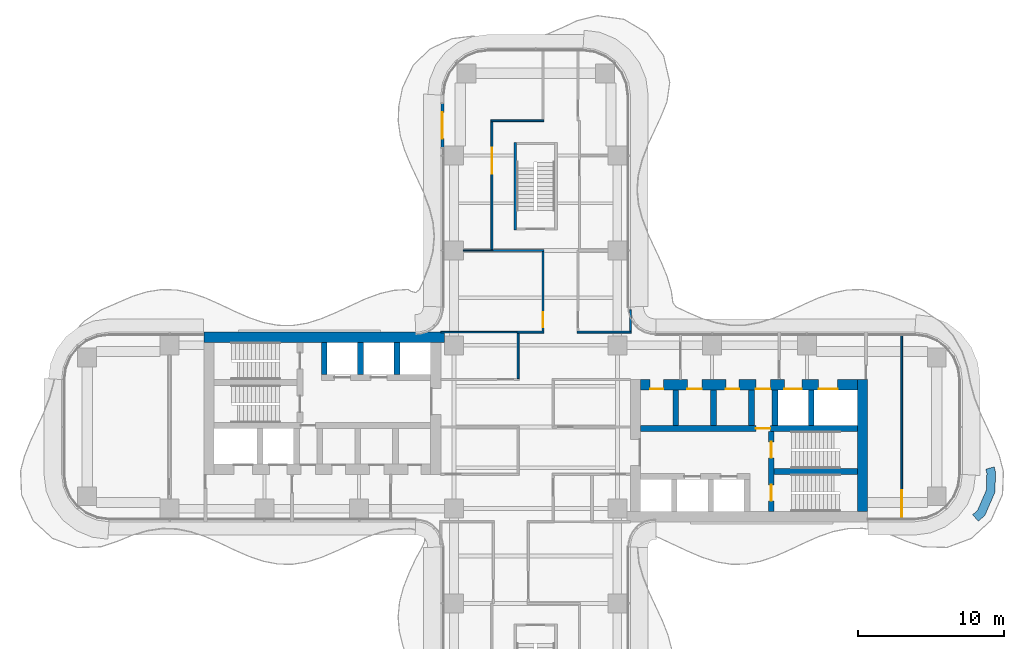
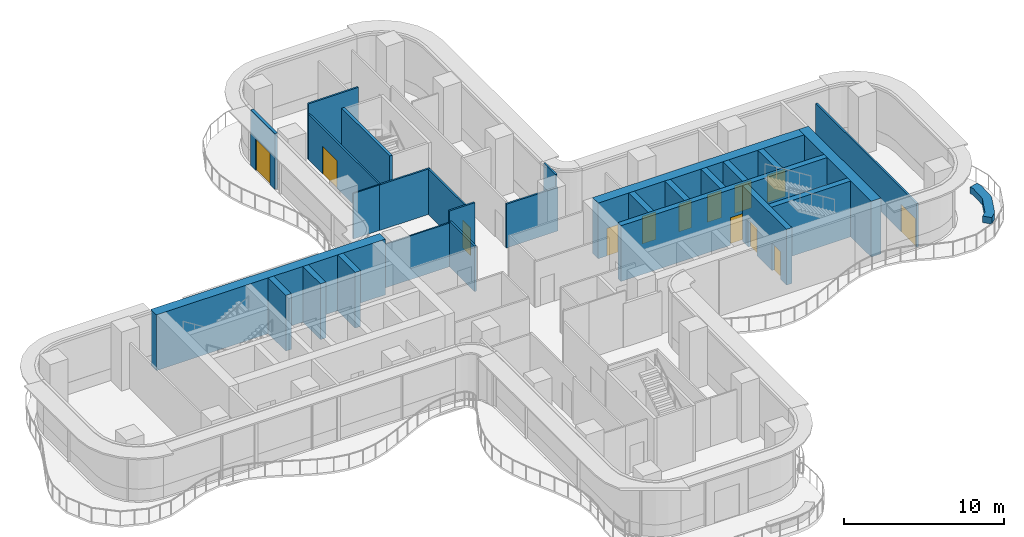
# One storey, part 19 of 22: 28 walls, 13 doors, 13 openings.
"""IFC4 building model written with IfcOpenShell, lengths in metres."""

from ifc_helpers import new_model, si_unit, direction, frame, frame_2d, origin, place, context, subcontext, project, spatial, polyline, rectangle, outline, extrude, source, transform, mapped, material, layer, layer_set, type_object, element, fill, save


model = new_model("IFC4")

# Units and contexts
model_context = context("Model", 3, precision=1e-05, world=origin(), true_north=direction((0.0, 1.0)))
body_context = subcontext(model_context, "Body", "Model", "MODEL_VIEW")
ifc_project = project(units=[si_unit("LENGTHUNIT", "METRE"), si_unit("AREAUNIT", "SQUARE_METRE"), si_unit("VOLUMEUNIT", "CUBIC_METRE"), si_unit("PLANEANGLEUNIT", "RADIAN"), si_unit("MASSUNIT", "GRAM", prefix="KILO")], contexts=[model_context])

# Site, building, storey
site_placement = place(None, origin())
site = spatial("IfcSite", under=ifc_project, at=site_placement, CompositionType="ELEMENT")
building_placement = place(site_placement, origin())
building = spatial("IfcBuilding", under=site, at=building_placement, Name="Trellis Farm Tower", CompositionType="ELEMENT")
storey_placement = place(building_placement, frame((0.0, 0.0, 124.5)))
storey = spatial("IfcBuildingStorey", under=building, at=storey_placement, Name="L26", CompositionType="ELEMENT", Elevation=124.5)

# Walls
ifc_material_1 = material(Name="Sandstone faced masonry planter", Category="masonry")
ifc_layer_1 = layer(ifc_material_1, 0.60009765625)
ifc_layer_set_1 = layer_set([ifc_layer_1], Name="PLANTER BED 600")
wall_type_1 = type_object("IfcWallType", Name="PLANTER BED 600", PredefinedType="USERDEFINED", material=ifc_layer_set_1)
wall_1_placement = place(storey_placement, origin())
element("IfcWall", 1, at=wall_1_placement, inside=storey, type_object=wall_type_1, Name="PLANTER bed", ObjectType="PLANTER", PredefinedType="USERDEFINED", context=body_context, shape_type="SweptSolid", body=[
    extrude(outline(polyline([(31.489501953125, -4.481689453125), (30.803466796875, -6.05908203125), (30.36181640625, -6.465087890625), (29.955810546875, -6.023193359375), (30.303955078125, -5.703369140625), (30.893798828125, -4.347412109375), (30.9326171875, -3.1708984375), (30.85986328125, -2.893310546875), (31.440185546875, -2.7412109375), (31.53515625, -3.103515625), (31.489501953125, -4.481689453125)])), origin(), (0.0, 0.0, 1.0), 0.5),
])
ifc_material_2 = material(Name="Concrete C70/85", Category="concrete")
ifc_layer_2 = layer(ifc_material_2, 0.699951171875)
ifc_layer_set_2 = layer_set([ifc_layer_2], Name="CORE OUTER WALL 700 CONCRETE C70/85")
wall_type_2 = type_object("IfcWallType", Name="CORE OUTER WALL 700 CONCRETE C70/85", PredefinedType="SHEAR", material=ifc_layer_set_2)
shared_shape_1 = source(origin(), body_context, "Body", "SweptSolid", [
    extrude(rectangle(XDim=9.050048828125, YDim=0.699951171875, at=frame_2d((4.52490234375, 0.0))), origin(), (0.0, 0.0, 1.0), 4.25),
])
wall_2_placement = place(storey_placement, frame((22.39990234375, -5.800048828125, 0.0), z_axis=(0.0, 0.0, 1.0), x_axis=(0.0, 1.0, 0.0)))
element("IfcWall", 2, at=wall_2_placement, inside=storey, type_object=wall_type_2, Name="Core wall", PredefinedType="SHEAR", context=body_context, shape_type="MappedRepresentation", body=[
    mapped(shared_shape_1, transform((0.0, 0.0, 0.0))),
])
ifc_layer_3 = layer(ifc_material_2, 0.39990234375)
ifc_layer_set_3 = layer_set([ifc_layer_3], Name="CORE INNER WALL 400 CONCRETE C70/85")
wall_type_3 = type_object("IfcWallType", Name="CORE INNER WALL 400 CONCRETE C70/85", PredefinedType="SHEAR", material=ifc_layer_set_3)
shared_shape_2 = source(origin(), body_context, "Body", "SweptSolid", [
    extrude(rectangle(XDim=2.199951171875, YDim=0.39990234375, at=frame_2d((1.10009765625, 0.0))), origin(), (0.0, 0.0, 1.0), 4.25),
])
for number, where, z_axis, x_axis, name in (
    (3, (-9.5, 5.800048828125, 0.0), (0.0, 0.0, 1.0), (0.0, -1.0, 0.0), "Core wall"),
    (4, (-12.0, 5.800048828125, 0.0), (0.0, 0.0, 1.0), (0.0, -1.0, 0.0), "Core wall"),
    (5, (-14.5, 5.800048828125, 0.0), (0.0, 0.0, 1.0), (0.0, -1.0, 0.0), "Core wall"),
):
    element("IfcWall", number, at=place(storey_placement, frame(where, z_axis=z_axis, x_axis=x_axis)), inside=storey, type_object=wall_type_3, Name=name, PredefinedType="SHEAR", context=body_context, shape_type="MappedRepresentation", body=[
        mapped(shared_shape_2, transform((0.0, 0.0, 0.0))),
    ])
shared_shape_3 = source(origin(), body_context, "Body", "SweptSolid", [
    extrude(rectangle(XDim=2.449951171875, YDim=0.39990234375, at=frame_2d((1.22509765625, 0.0))), origin(), (0.0, 0.0, 1.0), 4.25),
])
for number, where, z_axis, x_axis, name in (
    (6, (9.60009765625, 0.10009765625, 0.0), (0.0, 0.0, 1.0), (0.0, 1.0, 0.0), "Core wall"),
    (7, (12.199951171875, 0.10009765625, 0.0), (0.0, 0.0, 1.0), (0.0, 1.0, 0.0), "Core wall"),
    (8, (14.800048828125, 0.10009765625, 0.0), (0.0, 0.0, 1.0), (0.0, 1.0, 0.0), "Core wall"),
    (9, (16.39990234375, 0.10009765625, 0.0), (0.0, 0.0, 1.0), (0.0, 1.0, 0.0), "Core wall"),
    (10, (18.89990234375, 0.10009765625, 0.0), (0.0, 0.0, 1.0), (0.0, 1.0, 0.0), "Core wall"),
):
    element("IfcWall", number, at=place(storey_placement, frame(where, z_axis=z_axis, x_axis=x_axis)), inside=storey, type_object=wall_type_3, Name=name, PredefinedType="SHEAR", context=body_context, shape_type="MappedRepresentation", body=[
        mapped(shared_shape_3, transform((0.0, 0.0, 0.0))),
    ])

# Wall, openings, doors
shared_shape_4 = source(origin(), body_context, "Body", "SweptSolid", [
    extrude(rectangle(XDim=14.85009765625, YDim=0.699951171875, at=frame_2d((7.425048828125, 0.0))), origin(), (0.0, 0.0, 1.0), 4.25),
])
wall_3_placement = place(storey_placement, frame((7.199951171875, 2.89990234375, 0.0), z_axis=(0.0, 0.0, 1.0), x_axis=(1.0, 0.0, 0.0)))
wall_3 = element("IfcWall", 11, at=wall_3_placement, inside=storey, type_object=wall_type_2, Name="Core wall", PredefinedType="SHEAR", context=body_context, shape_type="MappedRepresentation", body=[
    mapped(shared_shape_4, transform((0.0, 0.0, 0.0))),
])
shared_shape_5 = source(origin(), body_context, "Body", "SweptSolid", [
    extrude(rectangle(XDim=1.300048828125, YDim=2.10009765625, at=frame_2d((0.64990234375, 1.050048828125))), frame((0.0, 0.360107421875, 0.0), z_axis=(0.0, -1.0, 0.0), x_axis=(1.0, 0.0, 0.0)), (0.0, 0.0, 1.0), 0.72021484375),
])
opening_1_placement = place(wall_3_placement, frame((12.199951171875, 0.0, 0.0)))
opening_1 = element("IfcOpeningElement", 12, at=opening_1_placement, cuts=wall_3, Name="Opening LD7", PredefinedType="OPENING", context=body_context, shape_type="MappedRepresentation", body=[
    mapped(shared_shape_5, transform((0.0, 0.0, 0.0))),
])
shared_shape_6 = source(origin(), body_context, "Body", "SweptSolid", [
    extrude(rectangle(XDim=1.199951171875, YDim=2.10009765625, at=frame_2d((0.60009765625, 1.050048828125))), frame((0.0, 0.360107421875, 0.0), z_axis=(0.0, -1.0, 0.0), x_axis=(1.0, 0.0, 0.0)), (0.0, 0.0, 1.0), 0.72021484375),
])
opening_2_placement = place(wall_3_placement, frame((9.85009765625, 0.0, 0.0)))
opening_2 = element("IfcOpeningElement", 13, at=opening_2_placement, cuts=wall_3, Name="Opening LD8", PredefinedType="OPENING", context=body_context, shape_type="MappedRepresentation", body=[
    mapped(shared_shape_6, transform((0.0, 0.0, 0.0))),
])
shared_shape_7 = source(origin(), body_context, "Body", "SweptSolid", [
    extrude(rectangle(XDim=1.0, YDim=2.10009765625, at=frame_2d((0.5, 1.050048828125))), frame((0.0, 0.360107421875, 0.0), z_axis=(0.0, -1.0, 0.0), x_axis=(1.0, 0.0, 0.0)), (0.0, 0.0, 1.0), 0.72021484375),
])
opening_3_placement = place(wall_3_placement, frame((7.89990234375, 0.0, 0.0)))
opening_3 = element("IfcOpeningElement", 14, at=opening_3_placement, cuts=wall_3, Name="Opening DC6", PredefinedType="OPENING", context=body_context, shape_type="MappedRepresentation", body=[
    mapped(shared_shape_7, transform((0.0, 0.0, 0.0))),
])
shared_shape_8 = source(origin(), body_context, "Body", "SweptSolid", [
    extrude(rectangle(XDim=0.89990234375, YDim=2.10009765625, at=frame_2d((0.449951171875, 1.050048828125))), frame((0.0, 0.360107421875, 0.0), z_axis=(0.0, -1.0, 0.0), x_axis=(1.0, 0.0, 0.0)), (0.0, 0.0, 1.0), 0.72021484375),
])
opening_4_placement = place(wall_3_placement, frame((0.64990234375, 0.0, 0.0)))
opening_4 = element("IfcOpeningElement", 15, at=opening_4_placement, cuts=wall_3, Name="Opening DC11", PredefinedType="OPENING", context=body_context, shape_type="MappedRepresentation", body=[
    mapped(shared_shape_8, transform((0.0, 0.0, 0.0))),
])
opening_5_placement = place(wall_3_placement, frame((3.199951171875, 0.0, 0.0)))
opening_5 = element("IfcOpeningElement", 16, at=opening_5_placement, cuts=wall_3, Name="Opening DC26", PredefinedType="OPENING", context=body_context, shape_type="MappedRepresentation", body=[
    mapped(shared_shape_7, transform((0.0, 0.0, 0.0))),
])
opening_6_placement = place(wall_3_placement, frame((5.85009765625, 0.0, 0.0)))
opening_6 = element("IfcOpeningElement", 17, at=opening_6_placement, cuts=wall_3, Name="Opening DC35", PredefinedType="OPENING", context=body_context, shape_type="MappedRepresentation", body=[
    mapped(shared_shape_8, transform((0.0, 0.0, 0.0))),
])
ifc_material_3 = material(Name="Steel", Category="steel")
door_type_1 = type_object("IfcDoorType", Name="CORE FIRE DOOR 1000 X 2100", OperationType="NOTDEFINED", PredefinedType="DOOR", material=ifc_material_3)
shared_shape_9 = source(origin(), body_context, "Body", "SweptSolid", [
    extrude(rectangle(XDim=1.0, YDim=2.10009765625, at=frame_2d((0.5, 1.050048828125))), frame((0.0, -0.27490234375, 0.0), z_axis=(0.0, -1.0, 0.0), x_axis=(1.0, 0.0, 0.0)), (0.0, 0.0, 1.0), 0.050048828125),
])
door_1_placement = place(opening_3_placement, origin())
door_1 = element("IfcDoor", 18, at=door_1_placement, inside=storey, type_object=door_type_1, Name="Core door", OperationType="SINGLE_SWING_LEFT", OverallHeight=2.10009765625, OverallWidth=1.0, PredefinedType="DOOR", context=body_context, shape_type="MappedRepresentation", body=[
    mapped(shared_shape_9, transform((0.0, 0.0, 0.0))),
])
fill(opening_3, door_1)
door_2_placement = place(opening_5_placement, origin())
door_2 = element("IfcDoor", 19, at=door_2_placement, inside=storey, type_object=door_type_1, Name="Core door", OperationType="SINGLE_SWING_RIGHT", OverallHeight=2.10009765625, OverallWidth=1.0, PredefinedType="DOOR", context=body_context, shape_type="MappedRepresentation", body=[
    mapped(shared_shape_9, transform((0.0, 0.0, 0.0))),
])
fill(opening_5, door_2)
door_type_2 = type_object("IfcDoorType", Name="CORE FIRE DOOR 900 X 2100", OperationType="NOTDEFINED", PredefinedType="DOOR", material=ifc_material_3)
shared_shape_10 = source(origin(), body_context, "Body", "SweptSolid", [
    extrude(rectangle(XDim=0.89990234375, YDim=2.10009765625, at=frame_2d((0.449951171875, 1.050048828125))), frame((0.0, -0.27490234375, 0.0), z_axis=(0.0, -1.0, 0.0), x_axis=(1.0, 0.0, 0.0)), (0.0, 0.0, 1.0), 0.050048828125),
])
door_3_placement = place(opening_4_placement, origin())
door_3 = element("IfcDoor", 20, at=door_3_placement, inside=storey, type_object=door_type_2, Name="Core door", OperationType="SINGLE_SWING_LEFT", OverallHeight=2.10009765625, OverallWidth=0.89990234375, PredefinedType="DOOR", context=body_context, shape_type="MappedRepresentation", body=[
    mapped(shared_shape_10, transform((0.0, 0.0, 0.0))),
])
fill(opening_4, door_3)
door_4_placement = place(opening_6_placement, origin())
door_4 = element("IfcDoor", 21, at=door_4_placement, inside=storey, type_object=door_type_2, Name="Core door", OperationType="SINGLE_SWING_LEFT", OverallHeight=2.10009765625, OverallWidth=0.89990234375, PredefinedType="DOOR", context=body_context, shape_type="MappedRepresentation", body=[
    mapped(shared_shape_10, transform((0.0, 0.0, 0.0))),
])
fill(opening_6, door_4)
ifc_material_4 = material(Name="Stainless steel", Category="steel")
door_type_3 = type_object("IfcDoorType", Name="LIFT LANDING DOOR 1300 X 2100", OperationType="DOUBLE_DOOR_SLIDING", PredefinedType="DOOR", material=ifc_material_4)
shared_shape_11 = source(origin(), body_context, "Body", "SweptSolid", [
    extrude(rectangle(XDim=1.300048828125, YDim=2.10009765625, at=frame_2d((0.64990234375, 1.050048828125))), frame((0.0, -0.27490234375, 0.0), z_axis=(0.0, -1.0, 0.0), x_axis=(1.0, 0.0, 0.0)), (0.0, 0.0, 1.0), 0.050048828125),
])
door_5_placement = place(opening_1_placement, origin())
door_5 = element("IfcDoor", 22, at=door_5_placement, inside=storey, type_object=door_type_3, Name="Lift landing door", OperationType="DOUBLE_DOOR_SLIDING", OverallHeight=2.10009765625, OverallWidth=1.300048828125, PredefinedType="DOOR", context=body_context, shape_type="MappedRepresentation", body=[
    mapped(shared_shape_11, transform((0.0, 0.0, 0.0))),
])
fill(opening_1, door_5)
door_type_4 = type_object("IfcDoorType", Name="LIFT LANDING DOOR 1200 X 2100", OperationType="DOUBLE_DOOR_SLIDING", PredefinedType="DOOR", material=ifc_material_4)
shared_shape_12 = source(origin(), body_context, "Body", "SweptSolid", [
    extrude(rectangle(XDim=1.199951171875, YDim=2.10009765625, at=frame_2d((0.60009765625, 1.050048828125))), frame((0.0, -0.27490234375, 0.0), z_axis=(0.0, -1.0, 0.0), x_axis=(1.0, 0.0, 0.0)), (0.0, 0.0, 1.0), 0.050048828125),
])
door_6_placement = place(opening_2_placement, origin())
door_6 = element("IfcDoor", 23, at=door_6_placement, inside=storey, type_object=door_type_4, Name="Lift landing door", OperationType="DOUBLE_DOOR_SLIDING", OverallHeight=2.10009765625, OverallWidth=1.199951171875, PredefinedType="DOOR", context=body_context, shape_type="MappedRepresentation", body=[
    mapped(shared_shape_12, transform((0.0, 0.0, 0.0))),
])
fill(opening_2, door_6)

# Wall, opening, door
shared_shape_13 = source(origin(), body_context, "Body", "SweptSolid", [
    extrude(rectangle(XDim=14.85009765625, YDim=0.39990234375, at=frame_2d((7.425048828125, 0.0))), origin(), (0.0, 0.0, 1.0), 4.25),
])
wall_4_placement = place(storey_placement, frame((7.199951171875, -0.10009765625, 0.0), z_axis=(0.0, 0.0, 1.0), x_axis=(1.0, 0.0, 0.0)))
wall_4 = element("IfcWall", 24, at=wall_4_placement, inside=storey, type_object=wall_type_3, Name="Core wall", PredefinedType="SHEAR", context=body_context, shape_type="MappedRepresentation", body=[
    mapped(shared_shape_13, transform((0.0, 0.0, 0.0))),
])
shared_shape_14 = source(origin(), body_context, "Body", "SweptSolid", [
    extrude(rectangle(XDim=1.0, YDim=2.10009765625, at=frame_2d((0.5, 1.050048828125))), frame((0.0, 0.2099609375, 0.0), z_axis=(0.0, -1.0, 0.0), x_axis=(1.0, 0.0, 0.0)), (0.0, 0.0, 1.0), 0.419921875),
])
opening_7_placement = place(wall_4_placement, frame((7.89990234375, 0.0, 0.0)))
opening_7 = element("IfcOpeningElement", 25, at=opening_7_placement, cuts=wall_4, Name="Opening DC5", PredefinedType="OPENING", context=body_context, shape_type="MappedRepresentation", body=[
    mapped(shared_shape_14, transform((0.0, 0.0, 0.0))),
])
shared_shape_15 = source(origin(), body_context, "Body", "SweptSolid", [
    extrude(rectangle(XDim=1.0, YDim=2.10009765625, at=frame_2d((0.5, 1.050048828125))), frame((0.0, 0.02490234375, 0.0), z_axis=(0.0, -1.0, 0.0), x_axis=(1.0, 0.0, 0.0)), (0.0, 0.0, 1.0), 0.050048828125),
])
door_7_placement = place(opening_7_placement, origin())
door_7 = element("IfcDoor", 26, at=door_7_placement, inside=storey, type_object=door_type_1, Name="Core door", OperationType="SINGLE_SWING_RIGHT", OverallHeight=2.10009765625, OverallWidth=1.0, PredefinedType="DOOR", context=body_context, shape_type="MappedRepresentation", body=[
    mapped(shared_shape_15, transform((0.0, 0.0, 0.0))),
])
fill(opening_7, door_7)

# Wall, openings, doors
shared_shape_16 = source(origin(), body_context, "Body", "SweptSolid", [
    extrude(rectangle(XDim=5.5, YDim=0.39990234375, at=frame_2d((2.75, 0.0))), origin(), (0.0, 0.0, 1.0), 4.25),
])
wall_5_placement = place(storey_placement, frame((16.14990234375, -5.800048828125, 0.0), z_axis=(0.0, 0.0, 1.0), x_axis=(0.0, 1.0, 0.0)))
wall_5 = element("IfcWall", 27, at=wall_5_placement, inside=storey, type_object=wall_type_3, Name="Core wall", PredefinedType="SHEAR", context=body_context, shape_type="MappedRepresentation", body=[
    mapped(shared_shape_16, transform((0.0, 0.0, 0.0))),
])
shared_shape_17 = source(origin(), body_context, "Body", "SweptSolid", [
    extrude(rectangle(XDim=1.10009765625, YDim=2.10009765625, at=frame_2d((0.550048828125, 1.050048828125))), frame((0.0, 0.2099609375, 0.0), z_axis=(0.0, -1.0, 0.0), x_axis=(1.0, 0.0, 0.0)), (0.0, 0.0, 1.0), 0.419921875),
])
opening_8_placement = place(wall_5_placement, frame((0.72509765625, 0.0, 0.0)))
opening_8 = element("IfcOpeningElement", 28, at=opening_8_placement, cuts=wall_5, Name="Opening DC2", PredefinedType="OPENING", context=body_context, shape_type="MappedRepresentation", body=[
    mapped(shared_shape_17, transform((0.0, 0.0, 0.0))),
])
opening_9_placement = place(wall_5_placement, frame((3.675048828125, 0.0, 0.0)))
opening_9 = element("IfcOpeningElement", 29, at=opening_9_placement, cuts=wall_5, Name="Opening DC3", PredefinedType="OPENING", context=body_context, shape_type="MappedRepresentation", body=[
    mapped(shared_shape_17, transform((0.0, 0.0, 0.0))),
])
door_type_5 = type_object("IfcDoorType", Name="CORE FIRE DOOR 1100 X 2100", OperationType="NOTDEFINED", PredefinedType="DOOR", material=ifc_material_3)
shared_shape_18 = source(origin(), body_context, "Body", "SweptSolid", [
    extrude(rectangle(XDim=1.10009765625, YDim=2.10009765625, at=frame_2d((0.550048828125, 1.050048828125))), frame((0.0, 0.02490234375, 0.0), z_axis=(0.0, -1.0, 0.0), x_axis=(1.0, 0.0, 0.0)), (0.0, 0.0, 1.0), 0.050048828125),
])
door_8_placement = place(opening_8_placement, origin())
door_8 = element("IfcDoor", 30, at=door_8_placement, inside=storey, type_object=door_type_5, Name="Core door", OperationType="SINGLE_SWING_RIGHT", OverallHeight=2.10009765625, OverallWidth=1.10009765625, PredefinedType="DOOR", context=body_context, shape_type="MappedRepresentation", body=[
    mapped(shared_shape_18, transform((0.0, 0.0, 0.0))),
])
fill(opening_8, door_8)
door_9_placement = place(opening_9_placement, origin())
door_9 = element("IfcDoor", 31, at=door_9_placement, inside=storey, type_object=door_type_5, Name="Core door", OperationType="SINGLE_SWING_LEFT", OverallHeight=2.10009765625, OverallWidth=1.10009765625, PredefinedType="DOOR", context=body_context, shape_type="MappedRepresentation", body=[
    mapped(shared_shape_18, transform((0.0, 0.0, 0.0))),
])
fill(opening_9, door_9)

# Walls
shared_shape_19 = source(origin(), body_context, "Body", "SweptSolid", [
    extrude(rectangle(XDim=5.699951171875, YDim=0.39990234375, at=frame_2d((2.85009765625, 0.0))), origin(), (0.0, 0.0, 1.0), 4.25),
])
wall_6_placement = place(storey_placement, frame((16.35009765625, -3.050048828125, 0.0), z_axis=(0.0, 0.0, 1.0), x_axis=(1.0, 0.0, 0.0)))
element("IfcWall", 32, at=wall_6_placement, inside=storey, type_object=wall_type_3, Name="Core wall", PredefinedType="SHEAR", context=body_context, shape_type="MappedRepresentation", body=[
    mapped(shared_shape_19, transform((0.0, 0.0, 0.0))),
])
shared_shape_20 = source(origin(), body_context, "Body", "SweptSolid", [
    extrude(rectangle(XDim=16.5, YDim=0.699951171875, at=frame_2d((8.25, 0.0))), origin(), (0.0, 0.0, 1.0), 4.25),
])
wall_7_placement = place(storey_placement, frame((-6.25, 6.14990234375, 0.0), z_axis=(0.0, 0.0, 1.0), x_axis=(-1.0, 0.0, 0.0)))
element("IfcWall", 33, at=wall_7_placement, inside=storey, type_object=wall_type_2, Name="Core wall", PredefinedType="SHEAR", context=body_context, shape_type="MappedRepresentation", body=[
    mapped(shared_shape_20, transform((0.0, 0.0, 0.0))),
])
ifc_layer_4 = layer(ifc_material_2, 0.199951171875)
ifc_layer_set_4 = layer_set([ifc_layer_4], Name="CORE STAIR ENCLOSURE WALL 200 CONCRETE C70/85")
wall_type_4 = type_object("IfcWallType", Name="CORE STAIR ENCLOSURE WALL 200 CONCRETE C70/85", PredefinedType="SHEAR", material=ifc_layer_set_4)
shared_shape_21 = source(origin(), body_context, "Body", "SweptSolid", [
    extrude(rectangle(XDim=6.0, YDim=0.199951171875, at=frame_2d((3.0, 0.0))), origin(), (0.0, 0.0, 1.0), 4.25),
])
wall_8_placement = place(storey_placement, frame((-1.39990234375, 13.5, 0.0), z_axis=(0.0, 0.0, 1.0), x_axis=(0.0, 1.0, 0.0)))
element("IfcWall", 34, at=wall_8_placement, inside=storey, type_object=wall_type_4, Name="Stair enclosure wall", PredefinedType="SHEAR", context=body_context, shape_type="MappedRepresentation", body=[
    mapped(shared_shape_21, transform((0.0, 0.0, 0.0))),
])

# Wall, opening, door
ifc_material_5 = material(Name="Sandstone faced insulated wall", Category="masonry")
ifc_layer_5 = layer(ifc_material_5, 0.199951171875)
ifc_layer_set_5 = layer_set([ifc_layer_5], Name="EXTERNAL INFILL WALL 200")
wall_type_5 = type_object("IfcWallType", Name="EXTERNAL INFILL WALL 200", PredefinedType="SOLIDWALL", material=ifc_layer_set_5)
shared_shape_22 = source(origin(), body_context, "Body", "SweptSolid", [
    extrude(rectangle(XDim=3.0, YDim=0.199951171875, at=frame_2d((1.5, 0.0))), origin(), (0.0, 0.0, 1.0), 4.25),
])
wall_9_placement = place(storey_placement, frame((-6.39990234375, 22.175048828125, 0.0), z_axis=(0.0, 0.0, 1.0), x_axis=(0.0, -1.0, 0.0)))
wall_9 = element("IfcWall", 35, at=wall_9_placement, inside=storey, type_object=wall_type_5, Name="EW1 02", PredefinedType="SOLIDWALL", context=body_context, shape_type="MappedRepresentation", body=[
    mapped(shared_shape_22, transform((0.0, 0.0, 0.0))),
])
shared_shape_23 = source(origin(), body_context, "Body", "SweptSolid", [
    extrude(rectangle(XDim=1.800048828125, YDim=2.39990234375, at=frame_2d((0.89990234375, 1.199951171875))), frame((0.0, 0.110107421875, 0.0), z_axis=(0.0, -1.0, 0.0), x_axis=(1.0, 0.0, 0.0)), (0.0, 0.0, 1.0), 0.22021484375),
])
opening_10_placement = place(wall_9_placement, frame((0.60009765625, 0.0, 0.0)))
opening_10 = element("IfcOpeningElement", 36, at=opening_10_placement, cuts=wall_9, Name="Opening ED1", PredefinedType="OPENING", context=body_context, shape_type="MappedRepresentation", body=[
    mapped(shared_shape_23, transform((0.0, 0.0, 0.0))),
])
ifc_material_6 = material(Name="Aluminium framed glazed door", Category="aluminium")
door_type_6 = type_object("IfcDoorType", Name="BALCONY DOOR 1800x2400", OperationType="DOUBLE_DOOR_SINGLE_SWING", PredefinedType="DOOR", material=ifc_material_6)
shared_shape_24 = source(origin(), body_context, "Body", "SweptSolid", [
    extrude(rectangle(XDim=1.800048828125, YDim=2.39990234375, at=frame_2d((0.89990234375, 1.199951171875))), frame((0.0, 0.02490234375, 0.0), z_axis=(0.0, -1.0, 0.0), x_axis=(1.0, 0.0, 0.0)), (0.0, 0.0, 1.0), 0.050048828125),
])
door_10_placement = place(opening_10_placement, origin())
door_10 = element("IfcDoor", 37, at=door_10_placement, inside=storey, type_object=door_type_6, Name="Balcony door", OperationType="DOUBLE_DOOR_SINGLE_SWING", OverallHeight=2.39990234375, OverallWidth=1.800048828125, PredefinedType="DOOR", context=body_context, shape_type="MappedRepresentation", body=[
    mapped(shared_shape_24, transform((0.0, 0.0, 0.0))),
])
fill(opening_10, door_10)

ifc_material_7 = material(Name="Plasterboard on steel studs, mineral wool", Category="steel")
ifc_layer_6 = layer(ifc_material_7, 0.125)
ifc_layer_set_6 = layer_set([ifc_layer_6], Name="PARTITION 125 STUD EI 60")
wall_type_6 = type_object("IfcWallType", Name="PARTITION 125 STUD EI 60", PredefinedType="PARTITIONING", material=ifc_layer_set_6)
shared_shape_25 = source(origin(), body_context, "Body", "SweptSolid", [
    extrude(rectangle(XDim=5.47509765625, YDim=0.125, at=frame_2d((2.737548828125, 0.0))), origin(), (0.0, 0.0, 1.0), 3.4677734375),
])
wall_10_placement = place(storey_placement, frame((0.5, 12.03759765625, 0.0), z_axis=(0.0, 0.0, 1.0), x_axis=(0.0, -1.0, 0.0)))
wall_10 = element("IfcWall", 38, at=wall_10_placement, inside=storey, type_object=wall_type_6, Name="Partition PW1", PredefinedType="PARTITIONING", context=body_context, shape_type="MappedRepresentation", body=[
    mapped(shared_shape_25, transform((0.0, 0.0, 0.0))),
])
shared_shape_26 = source(origin(), body_context, "Body", "SweptSolid", [
    extrude(rectangle(XDim=1.0, YDim=2.10009765625, at=frame_2d((0.5, 1.050048828125))), frame((0.0, 0.072509765625, 0.0), z_axis=(0.0, -1.0, 0.0), x_axis=(1.0, 0.0, 0.0)), (0.0, 0.0, 1.0), 0.14501953125),
])
opening_11_placement = place(wall_10_placement, frame((4.1875, 0.0, 0.0)))
opening_11 = element("IfcOpeningElement", 39, at=opening_11_placement, cuts=wall_10, Name="Opening D106", PredefinedType="OPENING", context=body_context, shape_type="MappedRepresentation", body=[
    mapped(shared_shape_26, transform((0.0, 0.0, 0.0))),
])
ifc_material_8 = material(Name="Fire-rated timber door leaf in a hollow metal frame", Category="wood")
door_type_7 = type_object("IfcDoorType", Name="DOOR 1000x2100 FD30S", OperationType="NOTDEFINED", PredefinedType="DOOR", material=ifc_material_8)
door_11_placement = place(opening_11_placement, origin())
door_11 = element("IfcDoor", 40, at=door_11_placement, inside=storey, type_object=door_type_7, Name="Door D106", OperationType="SINGLE_SWING_RIGHT", OverallHeight=2.10009765625, OverallWidth=1.0, PredefinedType="DOOR", context=body_context, shape_type="MappedRepresentation", body=[
    mapped(shared_shape_15, transform((0.0, 0.0, 0.0))),
])
fill(opening_11, door_11)

# Walls
shared_shape_27 = source(origin(), body_context, "Body", "SweptSolid", [
    extrude(rectangle(XDim=1.468994140625, YDim=0.125, at=frame_2d((0.734375, 0.0))), origin(), (0.0, 0.0, 1.0), 4.25),
])
wall_11_placement = place(storey_placement, frame((6.5, 6.5625, 0.0), z_axis=(0.0, 0.0, 1.0), x_axis=(0.0, 1.0, 0.0)))
element("IfcWall", 41, at=wall_11_placement, inside=storey, type_object=wall_type_6, Name="Partition PW1", PredefinedType="PARTITIONING", context=body_context, shape_type="MappedRepresentation", body=[
    mapped(shared_shape_27, transform((0.0, 0.0, 0.0))),
])
shared_shape_28 = source(origin(), body_context, "Body", "SweptSolid", [
    extrude(rectangle(XDim=3.137451171875, YDim=0.125, at=frame_2d((1.56884765625, 0.0))), origin(), (0.0, 0.0, 1.0), 3.4677734375),
])
wall_12_placement = place(storey_placement, frame((-1.199951171875, 6.449951171875, 0.0), z_axis=(0.0, 0.0, 1.0), x_axis=(0.0, -1.0, 0.0)))
element("IfcWall", 42, at=wall_12_placement, inside=storey, type_object=wall_type_6, Name="Partition PW1", PredefinedType="PARTITIONING", context=body_context, shape_type="MappedRepresentation", body=[
    mapped(shared_shape_28, transform((0.0, 0.0, 0.0))),
])
ifc_material_9 = material(Name="Plasterboard on steel studs", Category="steel")
ifc_layer_7 = layer(ifc_material_9, 0.10009765625)
ifc_layer_set_7 = layer_set([ifc_layer_7], Name="PARTITION 100 STUD EI 30")
wall_type_7 = type_object("IfcWallType", Name="PARTITION 100 STUD EI 30", PredefinedType="PARTITIONING", material=ifc_layer_set_7)
shared_shape_29 = source(origin(), body_context, "Body", "SweptSolid", [
    extrude(rectangle(XDim=5.362548828125, YDim=0.10009765625, at=frame_2d((2.68115234375, 0.0))), origin(), (0.0, 0.0, 1.0), 3.330078125),
])
wall_13_placement = place(storey_placement, frame((-6.5, 6.5, 0.0), z_axis=(0.0, 0.0, 1.0), x_axis=(1.0, 0.0, 0.0)))
element("IfcWall", 43, at=wall_13_placement, inside=storey, type_object=wall_type_7, Name="Partition PW2", PredefinedType="PARTITIONING", context=body_context, shape_type="MappedRepresentation", body=[
    mapped(shared_shape_29, transform((0.0, 0.0, 0.0))),
])

# Wall, opening, door
shared_shape_30 = source(origin(), body_context, "Body", "SweptSolid", [
    extrude(rectangle(XDim=8.78759765625, YDim=0.125, at=frame_2d((4.393798828125, 0.0))), origin(), (0.0, 0.0, 1.0), 3.4677734375),
])
wall_14_placement = place(storey_placement, frame((-3.0, 12.14990234375, 0.0), z_axis=(0.0, 0.0, 1.0), x_axis=(0.0, 1.0, 0.0)))
wall_14 = element("IfcWall", 44, at=wall_14_placement, inside=storey, type_object=wall_type_6, Name="Partition PW1", PredefinedType="PARTITIONING", context=body_context, shape_type="MappedRepresentation", body=[
    mapped(shared_shape_30, transform((0.0, 0.0, 0.0))),
])
shared_shape_31 = source(origin(), body_context, "Body", "SweptSolid", [
    extrude(rectangle(XDim=1.800048828125, YDim=2.10009765625, at=frame_2d((0.89990234375, 1.050048828125))), frame((0.0, 0.072509765625, 0.0), z_axis=(0.0, -1.0, 0.0), x_axis=(1.0, 0.0, 0.0)), (0.0, 0.0, 1.0), 0.14501953125),
])
opening_12_placement = place(wall_14_placement, frame((5.199951171875, 0.0, 0.0)))
opening_12 = element("IfcOpeningElement", 45, at=opening_12_placement, cuts=wall_14, Name="Opening D203", PredefinedType="OPENING", context=body_context, shape_type="MappedRepresentation", body=[
    mapped(shared_shape_31, transform((0.0, 0.0, 0.0))),
])
door_type_8 = type_object("IfcDoorType", Name="DOOR PAIR 1800x2100 FD30S", OperationType="NOTDEFINED", PredefinedType="DOOR", material=ifc_material_8)
shared_shape_32 = source(origin(), body_context, "Body", "SweptSolid", [
    extrude(rectangle(XDim=1.800048828125, YDim=2.10009765625, at=frame_2d((0.89990234375, 1.050048828125))), frame((0.0, 0.02490234375, 0.0), z_axis=(0.0, -1.0, 0.0), x_axis=(1.0, 0.0, 0.0)), (0.0, 0.0, 1.0), 0.050048828125),
])
door_12_placement = place(opening_12_placement, origin())
door_12 = element("IfcDoor", 46, at=door_12_placement, inside=storey, type_object=door_type_8, Name="Door D203", OperationType="DOUBLE_DOOR_SINGLE_SWING", OverallHeight=2.10009765625, OverallWidth=1.800048828125, PredefinedType="DOOR", context=body_context, shape_type="MappedRepresentation", body=[
    mapped(shared_shape_32, transform((0.0, 0.0, 0.0))),
])
fill(opening_12, door_12)

# Walls
shared_shape_33 = source(origin(), body_context, "Body", "SweptSolid", [
    extrude(rectangle(XDim=1.824951171875, YDim=0.125, at=frame_2d((0.91259765625, 0.0))), origin(), (0.0, 0.0, 1.0), 4.25),
])
wall_15_placement = place(storey_placement, frame((-1.262451171875, 6.5, 0.0), z_axis=(0.0, 0.0, 1.0), x_axis=(1.0, 0.0, 0.0)))
element("IfcWall", 47, at=wall_15_placement, inside=storey, type_object=wall_type_6, Name="Partition PW1", PredefinedType="PARTITIONING", context=body_context, shape_type="MappedRepresentation", body=[
    mapped(shared_shape_33, transform((0.0, 0.0, 0.0))),
])
shared_shape_34 = source(origin(), body_context, "Body", "SweptSolid", [
    extrude(rectangle(XDim=3.72509765625, YDim=0.125, at=frame_2d((1.862548828125, 0.0))), origin(), (0.0, 0.0, 1.0), 3.330078125),
])
wall_16_placement = place(storey_placement, frame((2.83740234375, 6.5, 0.0), z_axis=(0.0, 0.0, 1.0), x_axis=(1.0, 0.0, 0.0)))
element("IfcWall", 48, at=wall_16_placement, inside=storey, type_object=wall_type_6, Name="Partition PW1", PredefinedType="PARTITIONING", context=body_context, shape_type="MappedRepresentation", body=[
    mapped(shared_shape_34, transform((0.0, 0.0, 0.0))),
])
shared_shape_35 = source(origin(), body_context, "Body", "SweptSolid", [
    extrude(rectangle(XDim=3.625, YDim=0.125, at=frame_2d((1.8125, 0.0))), origin(), (0.0, 0.0, 1.0), 3.4677734375),
])
wall_17_placement = place(storey_placement, frame((0.5625, 12.10009765625, 0.0), z_axis=(0.0, 0.0, 1.0), x_axis=(-1.0, 0.0, 0.0)))
element("IfcWall", 49, at=wall_17_placement, inside=storey, type_object=wall_type_6, Name="Partition PW1", PredefinedType="PARTITIONING", context=body_context, shape_type="MappedRepresentation", body=[
    mapped(shared_shape_35, transform((0.0, 0.0, 0.0))),
])

# Wall, opening, door
shared_shape_36 = source(origin(), body_context, "Body", "SweptSolid", [
    extrude(rectangle(XDim=12.60009765625, YDim=0.125, at=frame_2d((6.300048828125, 0.0))), origin(), (0.0, 0.0, 1.0), 3.330078125),
])
wall_18_placement = place(storey_placement, frame((25.10009765625, 6.300048828125, 0.0), z_axis=(0.0, 0.0, 1.0), x_axis=(0.0, -1.0, 0.0)))
wall_18 = element("IfcWall", 50, at=wall_18_placement, inside=storey, type_object=wall_type_6, Name="Partition PW1", PredefinedType="PARTITIONING", context=body_context, shape_type="MappedRepresentation", body=[
    mapped(shared_shape_36, transform((0.0, 0.0, 0.0))),
])
opening_13_placement = place(wall_18_placement, frame((10.64990234375, 0.0, 0.0)))
opening_13 = element("IfcOpeningElement", 51, at=opening_13_placement, cuts=wall_18, Name="Opening D202", PredefinedType="OPENING", context=body_context, shape_type="MappedRepresentation", body=[
    mapped(shared_shape_31, transform((0.0, 0.0, 0.0))),
])
door_13_placement = place(opening_13_placement, origin())
door_13 = element("IfcDoor", 52, at=door_13_placement, inside=storey, type_object=door_type_8, Name="Door D202", OperationType="DOUBLE_DOOR_SINGLE_SWING", OverallHeight=2.10009765625, OverallWidth=1.800048828125, PredefinedType="DOOR", context=body_context, shape_type="MappedRepresentation", body=[
    mapped(shared_shape_32, transform((0.0, 0.0, 0.0))),
])
fill(opening_13, door_13)

# Walls
shared_shape_37 = source(origin(), body_context, "Body", "SweptSolid", [
    extrude(rectangle(XDim=2.012451171875, YDim=0.10009765625, at=frame_2d((1.00634765625, 0.0))), origin(), (0.0, 0.0, 1.0), 3.4677734375),
])
wall_19_placement = place(storey_placement, frame((-4.949951171875, 12.10009765625, 0.0), z_axis=(0.0, 0.0, 1.0), x_axis=(1.0, 0.0, 0.0)))
element("IfcWall", 53, at=wall_19_placement, inside=storey, type_object=wall_type_7, Name="Partition PW2", PredefinedType="PARTITIONING", context=body_context, shape_type="MappedRepresentation", body=[
    mapped(shared_shape_37, transform((0.0, 0.0, 0.0))),
])
shared_shape_38 = source(origin(), body_context, "Body", "SweptSolid", [
    extrude(rectangle(XDim=3.625, YDim=0.125, at=frame_2d((1.8125, 0.0))), origin(), (0.0, 0.0, 1.0), 4.25),
])
wall_20_placement = place(storey_placement, frame((-3.0625, 21.0, 0.0), z_axis=(0.0, 0.0, 1.0), x_axis=(1.0, 0.0, 0.0)))
element("IfcWall", 54, at=wall_20_placement, inside=storey, type_object=wall_type_6, Name="Partition PW1", PredefinedType="PARTITIONING", context=body_context, shape_type="MappedRepresentation", body=[
    mapped(shared_shape_38, transform((0.0, 0.0, 0.0))),
])

save(model, "model.ifc")
